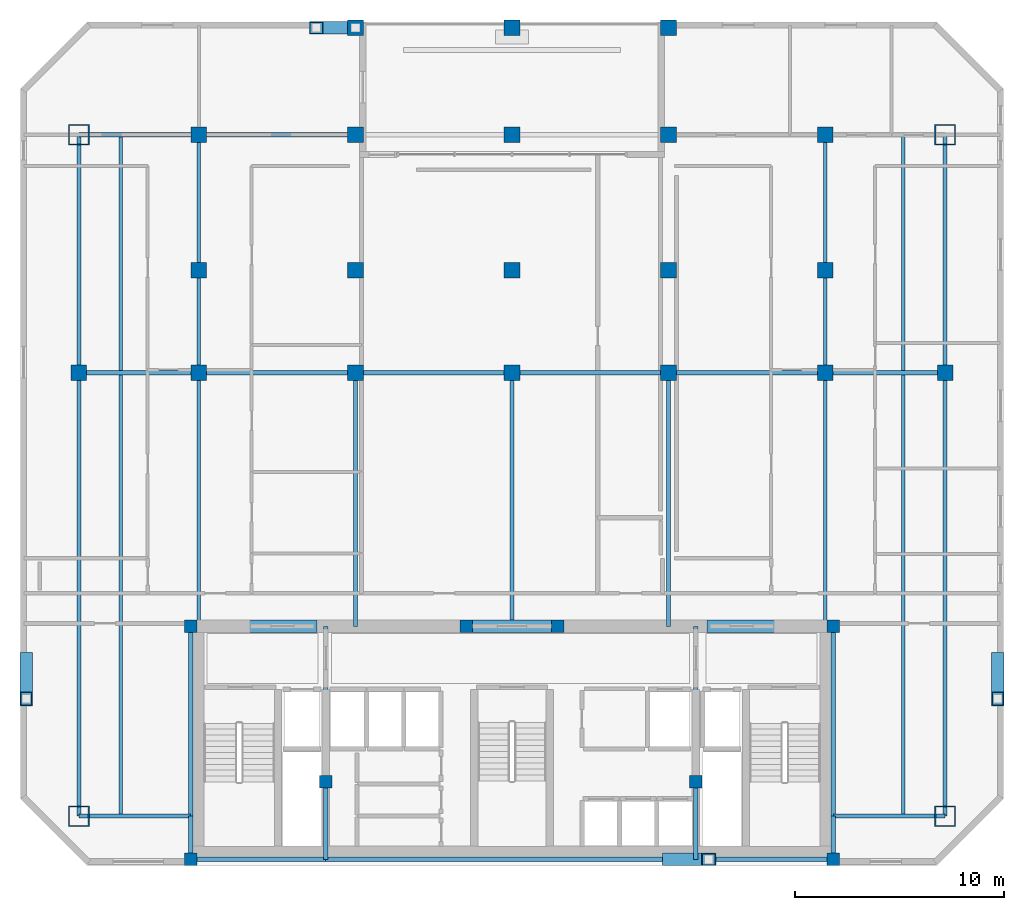
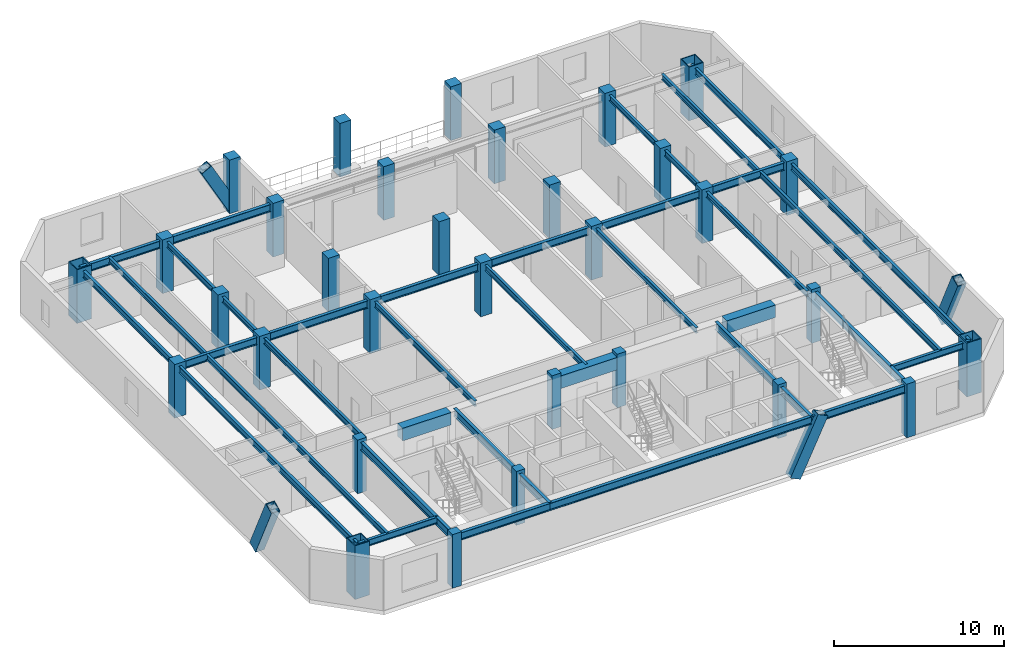
# One storey, part 1 of 9: 39 beams, 32 columns, 4 members.
"""IFC4 building model written with IfcOpenShell, lengths in metres."""

from ifc_helpers import new_model, si_unit, direction, frame, origin, origin_2d, place, context, subcontext, project, spatial, rectangle, hollow_rectangle, i_section, extrude, material, material_profile, profile_set, type_object, element, save


model = new_model("IFC4")

# Units and contexts
model_context = context("Model", 3, precision=1e-05, world=origin(), true_north=direction((0.0, 1.0)))
body_context = subcontext(model_context, "Body", "Model", "MODEL_VIEW")
ifc_project = project(units=[si_unit("LENGTHUNIT", "METRE"), si_unit("AREAUNIT", "SQUARE_METRE"), si_unit("VOLUMEUNIT", "CUBIC_METRE"), si_unit("PLANEANGLEUNIT", "RADIAN"), si_unit("MASSUNIT", "GRAM", prefix="KILO")], contexts=[model_context])

# Site, building, storey
site_placement = place(None, origin())
site = spatial("IfcSite", under=ifc_project, at=site_placement, CompositionType="ELEMENT")
building_placement = place(site_placement, origin())
building = spatial("IfcBuilding", under=site, at=building_placement, Name="Ventersveld Concourse Tower", CompositionType="ELEMENT")
storey_placement = place(building_placement, frame((0.0, 0.0, 204.14990234375)))
storey = spatial("IfcBuildingStorey", under=building, at=storey_placement, Name="L50", CompositionType="ELEMENT", Elevation=204.14990234375)

# Columns
ifc_material_1 = material(Name="Concrete C50/60", Category="concrete")
ifc_material_profile_1 = material_profile(ifc_material_1, rectangle(XDim=0.60009765625, YDim=0.60009765625, at=origin_2d()), Name="RC 600x600")
ifc_profile_set_1 = profile_set([ifc_material_profile_1], Name="Concrete C50/60")
column_type_1 = type_object("IfcColumnType", Name="COL-RC600", PredefinedType="COLUMN", material=ifc_profile_set_1)
for number, where, z_axis, x_axis, name in (
    (1, (13.35009765625, 0.280029296875, 0.0), (0.0, 0.0, 1.0), (1.0, 0.0, 0.0), "L50 Core Spine Column CC-SW"),
    (2, (44.14990234375, 0.280029296875, 0.0), (0.0, 0.0, 1.0), (1.0, 0.0, 0.0), "L50 Core Spine Column CC-SE"),
    (3, (13.35009765625, 11.449951171875, 0.0), (0.0, 0.0, 1.0), (1.0, 0.0, 0.0), "L50 Core Spine Column CC-NW"),
    (4, (44.14990234375, 11.449951171875, 0.0), (0.0, 0.0, 1.0), (1.0, 0.0, 0.0), "L50 Core Spine Column CC-NE"),
    (5, (19.820068359375, 4.0, 0.0), (0.0, 0.0, 1.0), (1.0, 0.0, 0.0), "L50 Core Spine Column CM-1"),
    (6, (37.550048828125, 4.0, 0.0), (0.0, 0.0, 1.0), (1.0, 0.0, 0.0), "L50 Core Spine Column CM-2"),
    (7, (26.550048828125, 11.449951171875, 0.0), (0.0, 0.0, 1.0), (1.0, 0.0, 0.0), "L50 Core Spine Column CM-3"),
    (8, (30.949951171875, 11.449951171875, 0.0), (0.0, 0.0, 1.0), (1.0, 0.0, 0.0), "L50 Core Spine Column CM-4"),
):
    element("IfcColumn", number, at=place(storey_placement, frame(where, z_axis=z_axis, x_axis=x_axis)), inside=storey, type_object=column_type_1, Name=name, PredefinedType="COLUMN", context=body_context, shape_type="SweptSolid", body=[
        extrude(rectangle(XDim=0.60009765625, YDim=0.60009765625, at=origin_2d()), origin(), (0.0, 0.0, 1.0), 3.85009765625),
    ])
ifc_material_profile_2 = material_profile(ifc_material_1, rectangle(XDim=0.75, YDim=0.75, at=origin_2d()), Name="RC 750x750")
ifc_profile_set_2 = profile_set([ifc_material_profile_2], Name="Concrete C50/60")
column_type_2 = type_object("IfcColumnType", Name="COL-RC750", PredefinedType="COLUMN", material=ifc_profile_set_2)
for number, where, z_axis, x_axis, name in (
    (9, (8.0, 23.60009765625, 0.0), (0.0, 0.0, 1.0), (1.0, 0.0, 0.0), "L50 Interior Gravity Column X=8.00 Y=23.60"),
    (10, (13.75, 23.60009765625, 0.0), (0.0, 0.0, 1.0), (1.0, 0.0, 0.0), "L50 Interior Gravity Column X=13.75 Y=23.60"),
    (11, (21.25, 23.60009765625, 0.0), (0.0, 0.0, 1.0), (1.0, 0.0, 0.0), "L50 Interior Gravity Column X=21.25 Y=23.60"),
    (12, (28.75, 23.60009765625, 0.0), (0.0, 0.0, 1.0), (1.0, 0.0, 0.0), "L50 Interior Gravity Column X=28.75 Y=23.60"),
    (13, (36.25, 23.60009765625, 0.0), (0.0, 0.0, 1.0), (1.0, 0.0, 0.0), "L50 Interior Gravity Column X=36.25 Y=23.60"),
    (14, (43.75, 23.60009765625, 0.0), (0.0, 0.0, 1.0), (1.0, 0.0, 0.0), "L50 Interior Gravity Column X=43.75 Y=23.60"),
    (15, (49.5, 23.60009765625, 0.0), (0.0, 0.0, 1.0), (1.0, 0.0, 0.0), "L50 Interior Gravity Column X=49.50 Y=23.60"),
    (16, (13.75, 28.5, 0.0), (0.0, 0.0, 1.0), (1.0, 0.0, 0.0), "L50 Upper-North Gravity Column X=13.75 Y=28.50"),
    (17, (21.25, 28.5, 0.0), (0.0, 0.0, 1.0), (1.0, 0.0, 0.0), "L50 Upper-North Gravity Column X=21.25 Y=28.50"),
    (18, (28.75, 28.5, 0.0), (0.0, 0.0, 1.0), (1.0, 0.0, 0.0), "L50 Upper-North Gravity Column X=28.75 Y=28.50"),
    (19, (36.25, 28.5, 0.0), (0.0, 0.0, 1.0), (1.0, 0.0, 0.0), "L50 Upper-North Gravity Column X=36.25 Y=28.50"),
    (20, (43.75, 28.5, 0.0), (0.0, 0.0, 1.0), (1.0, 0.0, 0.0), "L50 Upper-North Gravity Column X=43.75 Y=28.50"),
    (21, (21.25, 40.1201171875, 0.0), (0.0, 0.0, 1.0), (1.0, 0.0, 0.0), "L50 North Brace Node Column X=21.25 Y=40.12"),
    (22, (28.75, 40.1201171875, 0.0), (0.0, 0.0, 1.0), (1.0, 0.0, 0.0), "L50 North Brace Node Column X=28.75 Y=40.12"),
    (23, (36.25, 40.1201171875, 0.0), (0.0, 0.0, 1.0), (1.0, 0.0, 0.0), "L50 North Brace Node Column X=36.25 Y=40.12"),
    (24, (13.75, 35.0, 0.0), (0.0, 0.0, 1.0), (1.0, 0.0, 0.0), "L50 Mid-North Column X=13.75 Y=35.00"),
    (25, (21.25, 35.0, 0.0), (0.0, 0.0, 1.0), (1.0, 0.0, 0.0), "L50 Mid-North Column X=21.25 Y=35.00"),
    (26, (28.75, 35.0, 0.0), (0.0, 0.0, 1.0), (1.0, 0.0, 0.0), "L50 Mid-North Column X=28.75 Y=35.00"),
    (27, (36.25, 35.0, 0.0), (0.0, 0.0, 1.0), (1.0, 0.0, 0.0), "L50 Mid-North Column X=36.25 Y=35.00"),
    (28, (43.75, 35.0, 0.0), (0.0, 0.0, 1.0), (1.0, 0.0, 0.0), "L50 Mid-North Column X=43.75 Y=35.00"),
):
    element("IfcColumn", number, at=place(storey_placement, frame(where, z_axis=z_axis, x_axis=x_axis)), inside=storey, type_object=column_type_2, Name=name, PredefinedType="COLUMN", context=body_context, shape_type="SweptSolid", body=[
        extrude(rectangle(XDim=0.75, YDim=0.75, at=origin_2d()), origin(), (0.0, 0.0, 1.0), 3.85009765625),
    ])
ifc_material_2 = material(Name="Structural steel S460ML", Category="steel")
ifc_material_profile_3 = material_profile(ifc_material_2, hollow_rectangle(XDim=1.0, YDim=1.0, WallThickness=0.06005859375, at=origin_2d()), Name="BOX 1000x1000x60")
ifc_profile_set_3 = profile_set([ifc_material_profile_3], Name="Structural steel S460ML")
column_type_3 = type_object("IfcColumnType", Name="MC-1000", PredefinedType="USERDEFINED", material=ifc_profile_set_3)
for number, where, z_axis, x_axis, name in (
    (29, (8.0, 2.35009765625, 0.0), (0.0, 0.0, 1.0), (1.0, 0.0, 0.0), "L50 Corner Mega-Column MC-SW"),
    (30, (49.5, 2.35009765625, 0.0), (0.0, 0.0, 1.0), (1.0, 0.0, 0.0), "L50 Corner Mega-Column MC-SE"),
    (31, (49.5, 35.0, 0.0), (0.0, 0.0, 1.0), (1.0, 0.0, 0.0), "L50 Corner Mega-Column MC-NE"),
    (32, (8.0, 35.0, 0.0), (0.0, 0.0, 1.0), (1.0, 0.0, 0.0), "L50 Corner Mega-Column MC-NW"),
):
    element("IfcColumn", number, at=place(storey_placement, frame(where, z_axis=z_axis, x_axis=x_axis)), inside=storey, type_object=column_type_3, Name=name, ObjectType="MEGA_COLUMN", PredefinedType="USERDEFINED", context=body_context, shape_type="SweptSolid", body=[
        extrude(hollow_rectangle(XDim=1.0, YDim=1.0, WallThickness=0.06005859375, at=origin_2d()), origin(), (0.0, 0.0, 1.0), 3.85009765625),
    ])

# Beams
ifc_material_3 = material(Name="Structural steel S355J2", Category="steel")
ifc_material_profile_4 = material_profile(ifc_material_3, i_section(OverallWidth=0.177978515625, OverallDepth=0.406494140625, WebThickness=0.0078125, FlangeThickness=0.0126953125, FilletRadius=0.01025390625, at=origin_2d()), Name="UB 406x178x60")
ifc_profile_set_4 = profile_set([ifc_material_profile_4], Name="Structural steel S355J2")
beam_type_1 = type_object("IfcBeamType", Name="BM-UB406", PredefinedType="BEAM", material=ifc_profile_set_4)
beam_1_placement = place(storey_placement, frame((10.0, 2.35009765625, 3.427001953125), z_axis=(0.0, 1.0, 0.0), x_axis=(-1.0, 0.0, 0.0)))
element("IfcBeam", 33, at=beam_1_placement, inside=storey, type_object=beam_type_1, Name="L50 N-S Composite Floor Beam South X=10.00", PredefinedType="BEAM", context=body_context, shape_type="SweptSolid", body=[
    extrude(i_section(OverallWidth=0.177978515625, OverallDepth=0.406494140625, WebThickness=0.0078125, FlangeThickness=0.0126953125, FilletRadius=0.01025390625, at=origin_2d()), origin(), (0.0, 0.0, 1.0), 21.15478515625),
])
beam_2_placement = place(storey_placement, frame((10.0, 23.695068359375, 3.427001953125), z_axis=(0.0, 1.0, 0.0), x_axis=(-1.0, 0.0, 0.0)))
element("IfcBeam", 34, at=beam_2_placement, inside=storey, type_object=beam_type_1, Name="L50 N-S Composite Floor Beam Mid X=10.00", PredefinedType="BEAM", context=body_context, shape_type="SweptSolid", body=[
    extrude(i_section(OverallWidth=0.177978515625, OverallDepth=0.406494140625, WebThickness=0.0078125, FlangeThickness=0.0126953125, FilletRadius=0.01025390625, at=origin_2d()), origin(), (0.0, 0.0, 1.0), 11.304931640625),
])
beam_3_placement = place(storey_placement, frame((13.75, 11.449951171875, 3.427001953125), z_axis=(0.0, 1.0, 0.0), x_axis=(-1.0, 0.0, 0.0)))
element("IfcBeam", 35, at=beam_3_placement, inside=storey, type_object=beam_type_1, Name="L50 N-S Composite Floor Beam South X=13.75", PredefinedType="BEAM", context=body_context, shape_type="SweptSolid", body=[
    extrude(i_section(OverallWidth=0.177978515625, OverallDepth=0.406494140625, WebThickness=0.0078125, FlangeThickness=0.0126953125, FilletRadius=0.01025390625, at=origin_2d()), origin(), (0.0, 0.0, 1.0), 12.150146484375),
])
beam_4_placement = place(storey_placement, frame((13.75, 23.60009765625, 3.427001953125), z_axis=(0.0, 1.0, 0.0), x_axis=(-1.0, 0.0, 0.0)))
element("IfcBeam", 36, at=beam_4_placement, inside=storey, type_object=beam_type_1, Name="L50 N-S Composite Floor Beam Mid X=13.75", PredefinedType="BEAM", context=body_context, shape_type="SweptSolid", body=[
    extrude(i_section(OverallWidth=0.177978515625, OverallDepth=0.406494140625, WebThickness=0.0078125, FlangeThickness=0.0126953125, FilletRadius=0.01025390625, at=origin_2d()), origin(), (0.0, 0.0, 1.0), 11.39990234375),
])
for number, where, z_axis, x_axis, name in (
    (37, (21.25, 11.449951171875, 3.427001953125), (0.0, 1.0, 0.0), (-1.0, 0.0, 0.0), "L50 N-S Composite Floor Beam South X=21.25"),
    (38, (28.75, 11.449951171875, 3.427001953125), (0.0, 1.0, 0.0), (-1.0, 0.0, 0.0), "L50 N-S Composite Floor Beam South X=28.75"),
    (39, (36.25, 11.449951171875, 3.427001953125), (0.0, 1.0, 0.0), (-1.0, 0.0, 0.0), "L50 N-S Composite Floor Beam South X=36.25"),
    (40, (43.75, 11.449951171875, 3.427001953125), (0.0, 1.0, 0.0), (-1.0, 0.0, 0.0), "L50 N-S Composite Floor Beam South X=43.75"),
):
    element("IfcBeam", number, at=place(storey_placement, frame(where, z_axis=z_axis, x_axis=x_axis)), inside=storey, type_object=beam_type_1, Name=name, PredefinedType="BEAM", context=body_context, shape_type="SweptSolid", body=[
        extrude(i_section(OverallWidth=0.177978515625, OverallDepth=0.406494140625, WebThickness=0.0078125, FlangeThickness=0.0126953125, FilletRadius=0.01025390625, at=origin_2d()), origin(), (0.0, 0.0, 1.0), 12.150146484375),
    ])
beam_5_placement = place(storey_placement, frame((43.75, 23.60009765625, 3.427001953125), z_axis=(0.0, 1.0, 0.0), x_axis=(-1.0, 0.0, 0.0)))
element("IfcBeam", 41, at=beam_5_placement, inside=storey, type_object=beam_type_1, Name="L50 N-S Composite Floor Beam Mid X=43.75", PredefinedType="BEAM", context=body_context, shape_type="SweptSolid", body=[
    extrude(i_section(OverallWidth=0.177978515625, OverallDepth=0.406494140625, WebThickness=0.0078125, FlangeThickness=0.0126953125, FilletRadius=0.01025390625, at=origin_2d()), origin(), (0.0, 0.0, 1.0), 11.39990234375),
])
beam_6_placement = place(storey_placement, frame((47.5, 2.35009765625, 3.427001953125), z_axis=(0.0, 1.0, 0.0), x_axis=(-1.0, 0.0, 0.0)))
element("IfcBeam", 42, at=beam_6_placement, inside=storey, type_object=beam_type_1, Name="L50 N-S Composite Floor Beam South X=47.50", PredefinedType="BEAM", context=body_context, shape_type="SweptSolid", body=[
    extrude(i_section(OverallWidth=0.177978515625, OverallDepth=0.406494140625, WebThickness=0.0078125, FlangeThickness=0.0126953125, FilletRadius=0.01025390625, at=origin_2d()), origin(), (0.0, 0.0, 1.0), 21.15478515625),
])
beam_7_placement = place(storey_placement, frame((47.5, 23.695068359375, 3.427001953125), z_axis=(0.0, 1.0, 0.0), x_axis=(-1.0, 0.0, 0.0)))
element("IfcBeam", 43, at=beam_7_placement, inside=storey, type_object=beam_type_1, Name="L50 N-S Composite Floor Beam Mid X=47.50", PredefinedType="BEAM", context=body_context, shape_type="SweptSolid", body=[
    extrude(i_section(OverallWidth=0.177978515625, OverallDepth=0.406494140625, WebThickness=0.0078125, FlangeThickness=0.0126953125, FilletRadius=0.01025390625, at=origin_2d()), origin(), (0.0, 0.0, 1.0), 11.304931640625),
])
ifc_material_profile_5 = material_profile(ifc_material_1, rectangle(XDim=0.60009765625, YDim=0.89990234375, at=origin_2d()), Name="RC 600x900")
ifc_profile_set_5 = profile_set([ifc_material_profile_5], Name="Concrete C50/60")
beam_type_2 = type_object("IfcBeamType", Name="CB-RC600x900U", PredefinedType="LINTEL", material=ifc_profile_set_5)
beam_8_placement = place(storey_placement, frame((16.10009765625, 11.449951171875, 3.18017578125), z_axis=(1.0, 0.0, 0.0), x_axis=(0.0, 1.0, 0.0)))
element("IfcBeam", 44, at=beam_8_placement, inside=storey, type_object=beam_type_2, Name="L50 Core Coupling Lintel Beam 1", PredefinedType="LINTEL", context=body_context, shape_type="SweptSolid", body=[
    extrude(rectangle(XDim=0.60009765625, YDim=0.89990234375, at=origin_2d()), origin(), (0.0, 0.0, 1.0), 3.2998046875),
])
beam_9_placement = place(storey_placement, frame((26.5, 11.449951171875, 3.18017578125), z_axis=(1.0, 0.0, 0.0), x_axis=(0.0, 1.0, 0.0)))
element("IfcBeam", 45, at=beam_9_placement, inside=storey, type_object=beam_type_2, Name="L50 Core Coupling Lintel Beam 2", PredefinedType="LINTEL", context=body_context, shape_type="SweptSolid", body=[
    extrude(rectangle(XDim=0.60009765625, YDim=0.89990234375, at=origin_2d()), origin(), (0.0, 0.0, 1.0), 4.5),
])
beam_10_placement = place(storey_placement, frame((38.10009765625, 11.449951171875, 3.18017578125), z_axis=(1.0, 0.0, 0.0), x_axis=(0.0, 1.0, 0.0)))
element("IfcBeam", 46, at=beam_10_placement, inside=storey, type_object=beam_type_2, Name="L50 Core Coupling Lintel Beam 3", PredefinedType="LINTEL", context=body_context, shape_type="SweptSolid", body=[
    extrude(rectangle(XDim=0.60009765625, YDim=0.89990234375, at=origin_2d()), origin(), (0.0, 0.0, 1.0), 3.2998046875),
])
ifc_material_profile_6 = material_profile(ifc_material_3, i_section(OverallWidth=0.2119140625, OverallDepth=0.54443359375, WebThickness=0.0126953125, FlangeThickness=0.021240234375, FilletRadius=0.0126953125, at=origin_2d()), Name="UB 533x210x122")
ifc_profile_set_6 = profile_set([ifc_material_profile_6], Name="Structural steel S355J2")
beam_type_3 = type_object("IfcBeamType", Name="GRD-UB533H", PredefinedType="T_BEAM", material=ifc_profile_set_6)
beam_11_placement = place(storey_placement, frame((13.35009765625, 0.280029296875, 3.35791015625), z_axis=(0.0, 1.0, 0.0), x_axis=(-1.0, 0.0, 0.0)))
element("IfcBeam", 47, at=beam_11_placement, inside=storey, type_object=beam_type_3, Name="L50 Core West Tie Beam S", PredefinedType="T_BEAM", context=body_context, shape_type="SweptSolid", body=[
    extrude(i_section(OverallWidth=0.2119140625, OverallDepth=0.54443359375, WebThickness=0.0126953125, FlangeThickness=0.021240234375, FilletRadius=0.0126953125, at=origin_2d()), origin(), (0.0, 0.0, 1.0), 2.070068359375),
])
beam_12_placement = place(storey_placement, frame((13.35009765625, 2.35009765625, 3.35791015625), z_axis=(0.0, 1.0, 0.0), x_axis=(-1.0, 0.0, 0.0)))
element("IfcBeam", 48, at=beam_12_placement, inside=storey, type_object=beam_type_3, Name="L50 Core West Tie Beam N", PredefinedType="T_BEAM", context=body_context, shape_type="SweptSolid", body=[
    extrude(i_section(OverallWidth=0.2119140625, OverallDepth=0.54443359375, WebThickness=0.0126953125, FlangeThickness=0.021240234375, FilletRadius=0.0126953125, at=origin_2d()), origin(), (0.0, 0.0, 1.0), 9.099853515625),
])
beam_13_placement = place(storey_placement, frame((44.14990234375, 0.280029296875, 3.35791015625), z_axis=(0.0, 1.0, 0.0), x_axis=(-1.0, 0.0, 0.0)))
element("IfcBeam", 49, at=beam_13_placement, inside=storey, type_object=beam_type_3, Name="L50 Core East Tie Beam S", PredefinedType="T_BEAM", context=body_context, shape_type="SweptSolid", body=[
    extrude(i_section(OverallWidth=0.2119140625, OverallDepth=0.54443359375, WebThickness=0.0126953125, FlangeThickness=0.021240234375, FilletRadius=0.0126953125, at=origin_2d()), origin(), (0.0, 0.0, 1.0), 2.070068359375),
])
beam_14_placement = place(storey_placement, frame((44.14990234375, 2.35009765625, 3.35791015625), z_axis=(0.0, 1.0, 0.0), x_axis=(-1.0, 0.0, 0.0)))
element("IfcBeam", 50, at=beam_14_placement, inside=storey, type_object=beam_type_3, Name="L50 Core East Tie Beam N", PredefinedType="T_BEAM", context=body_context, shape_type="SweptSolid", body=[
    extrude(i_section(OverallWidth=0.2119140625, OverallDepth=0.54443359375, WebThickness=0.0126953125, FlangeThickness=0.021240234375, FilletRadius=0.0126953125, at=origin_2d()), origin(), (0.0, 0.0, 1.0), 9.099853515625),
])
beam_15_placement = place(storey_placement, frame((13.35009765625, 0.280029296875, 3.35791015625), z_axis=(1.0, 0.0, 0.0), x_axis=(0.0, 1.0, 0.0)))
element("IfcBeam", 51, at=beam_15_placement, inside=storey, type_object=beam_type_3, Name="L50 Core South Tie Beam W", PredefinedType="T_BEAM", context=body_context, shape_type="SweptSolid", body=[
    extrude(i_section(OverallWidth=0.2119140625, OverallDepth=0.54443359375, WebThickness=0.0126953125, FlangeThickness=0.021240234375, FilletRadius=0.0126953125, at=origin_2d()), origin(), (0.0, 0.0, 1.0), 6.469970703125),
])
beam_16_placement = place(storey_placement, frame((19.820068359375, 0.280029296875, 3.35791015625), z_axis=(1.0, 0.0, 0.0), x_axis=(0.0, 1.0, 0.0)))
element("IfcBeam", 52, at=beam_16_placement, inside=storey, type_object=beam_type_3, Name="L50 Core South Tie Beam C", PredefinedType="T_BEAM", context=body_context, shape_type="SweptSolid", body=[
    extrude(i_section(OverallWidth=0.2119140625, OverallDepth=0.54443359375, WebThickness=0.0126953125, FlangeThickness=0.021240234375, FilletRadius=0.0126953125, at=origin_2d()), origin(), (0.0, 0.0, 1.0), 17.72998046875),
])
beam_17_placement = place(storey_placement, frame((37.550048828125, 0.280029296875, 3.35791015625), z_axis=(1.0, 0.0, 0.0), x_axis=(0.0, 1.0, 0.0)))
element("IfcBeam", 53, at=beam_17_placement, inside=storey, type_object=beam_type_3, Name="L50 Core South Tie Beam E", PredefinedType="T_BEAM", context=body_context, shape_type="SweptSolid", body=[
    extrude(i_section(OverallWidth=0.2119140625, OverallDepth=0.54443359375, WebThickness=0.0126953125, FlangeThickness=0.021240234375, FilletRadius=0.0126953125, at=origin_2d()), origin(), (0.0, 0.0, 1.0), 6.599853515625),
])
beam_18_placement = place(storey_placement, frame((19.820068359375, 0.280029296875, 3.35791015625), z_axis=(0.0, 1.0, 0.0), x_axis=(-1.0, 0.0, 0.0)))
element("IfcBeam", 54, at=beam_18_placement, inside=storey, type_object=beam_type_3, Name="L50 Core Spine N-S Tie Beam W1", PredefinedType="T_BEAM", context=body_context, shape_type="SweptSolid", body=[
    extrude(i_section(OverallWidth=0.2119140625, OverallDepth=0.54443359375, WebThickness=0.0126953125, FlangeThickness=0.021240234375, FilletRadius=0.0126953125, at=origin_2d()), origin(), (0.0, 0.0, 1.0), 3.719970703125),
])
beam_19_placement = place(storey_placement, frame((19.820068359375, 4.0, 3.35791015625), z_axis=(0.0, 1.0, 0.0), x_axis=(-1.0, 0.0, 0.0)))
element("IfcBeam", 55, at=beam_19_placement, inside=storey, type_object=beam_type_3, Name="L50 Core Spine N-S Tie Beam W2", PredefinedType="T_BEAM", context=body_context, shape_type="SweptSolid", body=[
    extrude(i_section(OverallWidth=0.2119140625, OverallDepth=0.54443359375, WebThickness=0.0126953125, FlangeThickness=0.021240234375, FilletRadius=0.0126953125, at=origin_2d()), origin(), (0.0, 0.0, 1.0), 7.449951171875),
])
beam_20_placement = place(storey_placement, frame((37.550048828125, 0.280029296875, 3.35791015625), z_axis=(0.0, 1.0, 0.0), x_axis=(-1.0, 0.0, 0.0)))
element("IfcBeam", 56, at=beam_20_placement, inside=storey, type_object=beam_type_3, Name="L50 Core Spine N-S Tie Beam E1", PredefinedType="T_BEAM", context=body_context, shape_type="SweptSolid", body=[
    extrude(i_section(OverallWidth=0.2119140625, OverallDepth=0.54443359375, WebThickness=0.0126953125, FlangeThickness=0.021240234375, FilletRadius=0.0126953125, at=origin_2d()), origin(), (0.0, 0.0, 1.0), 3.719970703125),
])
beam_21_placement = place(storey_placement, frame((37.550048828125, 4.0, 3.35791015625), z_axis=(0.0, 1.0, 0.0), x_axis=(-1.0, 0.0, 0.0)))
element("IfcBeam", 57, at=beam_21_placement, inside=storey, type_object=beam_type_3, Name="L50 Core Spine N-S Tie Beam E2", PredefinedType="T_BEAM", context=body_context, shape_type="SweptSolid", body=[
    extrude(i_section(OverallWidth=0.2119140625, OverallDepth=0.54443359375, WebThickness=0.0126953125, FlangeThickness=0.021240234375, FilletRadius=0.0126953125, at=origin_2d()), origin(), (0.0, 0.0, 1.0), 7.449951171875),
])
beam_22_placement = place(storey_placement, frame((8.0, 23.60009765625, 3.35791015625), z_axis=(1.0, 0.0, 0.0), x_axis=(0.0, 1.0, 0.0)))
element("IfcBeam", 58, at=beam_22_placement, inside=storey, type_object=beam_type_3, Name="L50 Primary E-W Grid Girder Y=23.60 #1", PredefinedType="T_BEAM", context=body_context, shape_type="SweptSolid", body=[
    extrude(i_section(OverallWidth=0.2119140625, OverallDepth=0.54443359375, WebThickness=0.0126953125, FlangeThickness=0.021240234375, FilletRadius=0.0126953125, at=origin_2d()), origin(), (0.0, 0.0, 1.0), 5.75),
])
for number, where, z_axis, x_axis, name in (
    (59, (13.75, 23.60009765625, 3.35791015625), (1.0, 0.0, 0.0), (0.0, 1.0, 0.0), "L50 Primary E-W Grid Girder Y=23.60 #2"),
    (60, (21.25, 23.60009765625, 3.35791015625), (1.0, 0.0, 0.0), (0.0, 1.0, 0.0), "L50 Primary E-W Grid Girder Y=23.60 #3"),
    (61, (28.75, 23.60009765625, 3.35791015625), (1.0, 0.0, 0.0), (0.0, 1.0, 0.0), "L50 Primary E-W Grid Girder Y=23.60 #4"),
    (62, (36.25, 23.60009765625, 3.35791015625), (1.0, 0.0, 0.0), (0.0, 1.0, 0.0), "L50 Primary E-W Grid Girder Y=23.60 #5"),
):
    element("IfcBeam", number, at=place(storey_placement, frame(where, z_axis=z_axis, x_axis=x_axis)), inside=storey, type_object=beam_type_3, Name=name, PredefinedType="T_BEAM", context=body_context, shape_type="SweptSolid", body=[
        extrude(i_section(OverallWidth=0.2119140625, OverallDepth=0.54443359375, WebThickness=0.0126953125, FlangeThickness=0.021240234375, FilletRadius=0.0126953125, at=origin_2d()), origin(), (0.0, 0.0, 1.0), 7.5),
    ])
for number, where, z_axis, x_axis, name in (
    (63, (43.75, 23.60009765625, 3.35791015625), (1.0, 0.0, 0.0), (0.0, 1.0, 0.0), "L50 Primary E-W Grid Girder Y=23.60 #6"),
    (64, (8.0, 35.0, 3.35791015625), (1.0, 0.0, 0.0), (0.0, 1.0, 0.0), "L50 E-W Grid Girder Y=35.00 #1"),
):
    element("IfcBeam", number, at=place(storey_placement, frame(where, z_axis=z_axis, x_axis=x_axis)), inside=storey, type_object=beam_type_3, Name=name, PredefinedType="T_BEAM", context=body_context, shape_type="SweptSolid", body=[
        extrude(i_section(OverallWidth=0.2119140625, OverallDepth=0.54443359375, WebThickness=0.0126953125, FlangeThickness=0.021240234375, FilletRadius=0.0126953125, at=origin_2d()), origin(), (0.0, 0.0, 1.0), 5.75),
    ])
beam_23_placement = place(storey_placement, frame((13.75, 35.0, 3.35791015625), z_axis=(1.0, 0.0, 0.0), x_axis=(0.0, 1.0, 0.0)))
element("IfcBeam", 65, at=beam_23_placement, inside=storey, type_object=beam_type_3, Name="L50 E-W Grid Girder Y=35.00 #2", PredefinedType="T_BEAM", context=body_context, shape_type="SweptSolid", body=[
    extrude(i_section(OverallWidth=0.2119140625, OverallDepth=0.54443359375, WebThickness=0.0126953125, FlangeThickness=0.021240234375, FilletRadius=0.0126953125, at=origin_2d()), origin(), (0.0, 0.0, 1.0), 7.5),
])

# Members
ifc_material_4 = material(Name="Structural steel S355ML", Category="steel")
ifc_material_profile_7 = material_profile(ifc_material_4, hollow_rectangle(XDim=0.60009765625, YDim=0.75, WallThickness=0.0400390625, at=origin_2d()), Name="BOX 750x600x40")
ifc_profile_set_7 = profile_set([ifc_material_profile_7], Name="Structural steel S355ML")
member_type = type_object("IfcMemberType", Name="MB-750x600", PredefinedType="BRACE", material=ifc_profile_set_7)
member_placement = place(storey_placement, frame((21.25, 40.1201171875, 0.22021484375), z_axis=(-0.481829637312, 0.0, 0.876264914628), x_axis=(0.0, -1.0, 0.0)))
element("IfcMember", 66, at=member_placement, inside=storey, type_object=member_type, Name="L50 Exterior Mega-Brace N (Module M12)", PredefinedType="BRACE", context=body_context, shape_type="SweptSolid", body=[
    extrude(hollow_rectangle(XDim=0.60009765625, YDim=0.75, WallThickness=0.0400390625, at=origin_2d()), origin(), (0.0, 0.0, 1.0), 3.891357421875),
])
for number, where, z_axis, x_axis, name in (
    (67, (36.300048828125, 0.280029296875, -0.27978515625), (0.432401571463, 0.0, 0.901681141533), (0.0, 1.0, 0.0), "L50 Exterior Mega-Brace S (Module M12)"),
    (68, (5.47998046875, 9.85009765625, -0.27978515625), (0.0, -0.432401571463, 0.901681141533), (1.0, 0.0, 0.0), "L50 Exterior Mega-Brace W (Module M12)"),
    (69, (52.02001953125, 9.85009765625, -0.27978515625), (0.0, -0.432401571463, 0.901681141533), (1.0, 0.0, 0.0), "L50 Exterior Mega-Brace E (Module M12)"),
):
    element("IfcMember", number, at=place(storey_placement, frame(where, z_axis=z_axis, x_axis=x_axis)), inside=storey, type_object=member_type, Name=name, PredefinedType="BRACE", context=body_context, shape_type="SweptSolid", body=[
        extrude(hollow_rectangle(XDim=0.60009765625, YDim=0.75, WallThickness=0.0400390625, at=origin_2d()), origin(), (0.0, 0.0, 1.0), 4.336181640625),
    ])

# Beams
ifc_material_profile_8 = material_profile(ifc_material_3, i_section(OverallWidth=0.19140625, OverallDepth=0.4599609375, WebThickness=0.010009765625, FlangeThickness=0.01611328125, FilletRadius=0.01025390625, at=origin_2d()), Name="UB 457x191x82")
ifc_profile_set_8 = profile_set([ifc_material_profile_8], Name="Structural steel S355J2")
beam_type_4 = type_object("IfcBeamType", Name="SPD-UB457", PredefinedType="SPANDREL", material=ifc_profile_set_8)
for number, where, z_axis, x_axis, name in (
    (70, (8.0, 2.35009765625, 3.400146484375), (1.0, 0.0, 0.0), (0.0, 1.0, 0.0), "L50 SW Spandrel Beam"),
    (71, (44.14990234375, 2.35009765625, 3.400146484375), (1.0, 0.0, 0.0), (0.0, 1.0, 0.0), "L50 SE Spandrel Beam"),
):
    element("IfcBeam", number, at=place(storey_placement, frame(where, z_axis=z_axis, x_axis=x_axis)), inside=storey, type_object=beam_type_4, Name=name, PredefinedType="SPANDREL", context=body_context, shape_type="SweptSolid", body=[
        extrude(i_section(OverallWidth=0.19140625, OverallDepth=0.4599609375, WebThickness=0.010009765625, FlangeThickness=0.01611328125, FilletRadius=0.01025390625, at=origin_2d()), origin(), (0.0, 0.0, 1.0), 5.35009765625),
    ])
beam_24_placement = place(storey_placement, frame((8.0, 2.35009765625, 3.400146484375), z_axis=(0.0, 1.0, 0.0), x_axis=(-1.0, 0.0, 0.0)))
element("IfcBeam", 72, at=beam_24_placement, inside=storey, type_object=beam_type_4, Name="L50 West Spandrel Beam S", PredefinedType="SPANDREL", context=body_context, shape_type="SweptSolid", body=[
    extrude(i_section(OverallWidth=0.19140625, OverallDepth=0.4599609375, WebThickness=0.010009765625, FlangeThickness=0.01611328125, FilletRadius=0.01025390625, at=origin_2d()), origin(), (0.0, 0.0, 1.0), 21.25),
])
beam_25_placement = place(storey_placement, frame((8.0, 23.60009765625, 3.400146484375), z_axis=(0.0, 1.0, 0.0), x_axis=(-1.0, 0.0, 0.0)))
element("IfcBeam", 73, at=beam_25_placement, inside=storey, type_object=beam_type_4, Name="L50 West Spandrel Beam N", PredefinedType="SPANDREL", context=body_context, shape_type="SweptSolid", body=[
    extrude(i_section(OverallWidth=0.19140625, OverallDepth=0.4599609375, WebThickness=0.010009765625, FlangeThickness=0.01611328125, FilletRadius=0.01025390625, at=origin_2d()), origin(), (0.0, 0.0, 1.0), 11.39990234375),
])
beam_26_placement = place(storey_placement, frame((49.5, 2.35009765625, 3.400146484375), z_axis=(0.0, 1.0, 0.0), x_axis=(-1.0, 0.0, 0.0)))
element("IfcBeam", 74, at=beam_26_placement, inside=storey, type_object=beam_type_4, Name="L50 East Spandrel Beam S", PredefinedType="SPANDREL", context=body_context, shape_type="SweptSolid", body=[
    extrude(i_section(OverallWidth=0.19140625, OverallDepth=0.4599609375, WebThickness=0.010009765625, FlangeThickness=0.01611328125, FilletRadius=0.01025390625, at=origin_2d()), origin(), (0.0, 0.0, 1.0), 21.25),
])
beam_27_placement = place(storey_placement, frame((49.5, 23.60009765625, 3.400146484375), z_axis=(0.0, 1.0, 0.0), x_axis=(-1.0, 0.0, 0.0)))
element("IfcBeam", 75, at=beam_27_placement, inside=storey, type_object=beam_type_4, Name="L50 East Spandrel Beam N", PredefinedType="SPANDREL", context=body_context, shape_type="SweptSolid", body=[
    extrude(i_section(OverallWidth=0.19140625, OverallDepth=0.4599609375, WebThickness=0.010009765625, FlangeThickness=0.01611328125, FilletRadius=0.01025390625, at=origin_2d()), origin(), (0.0, 0.0, 1.0), 11.39990234375),
])

save(model, "model.ifc")
